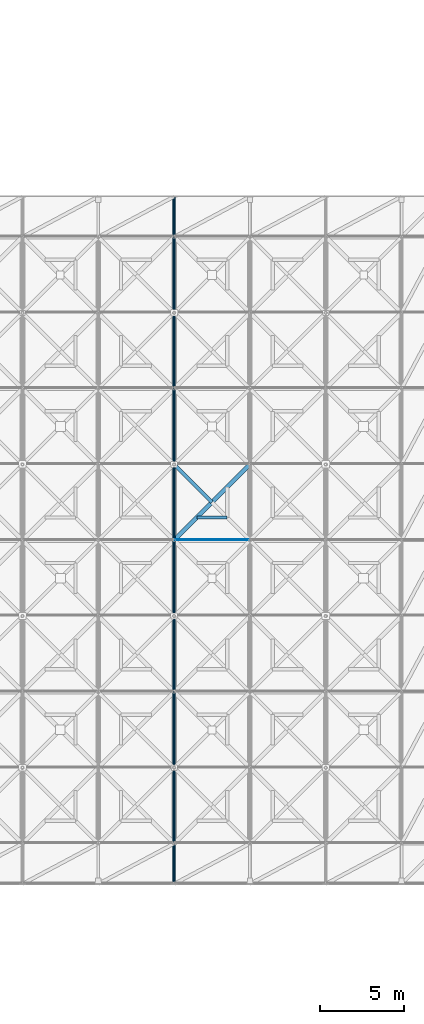
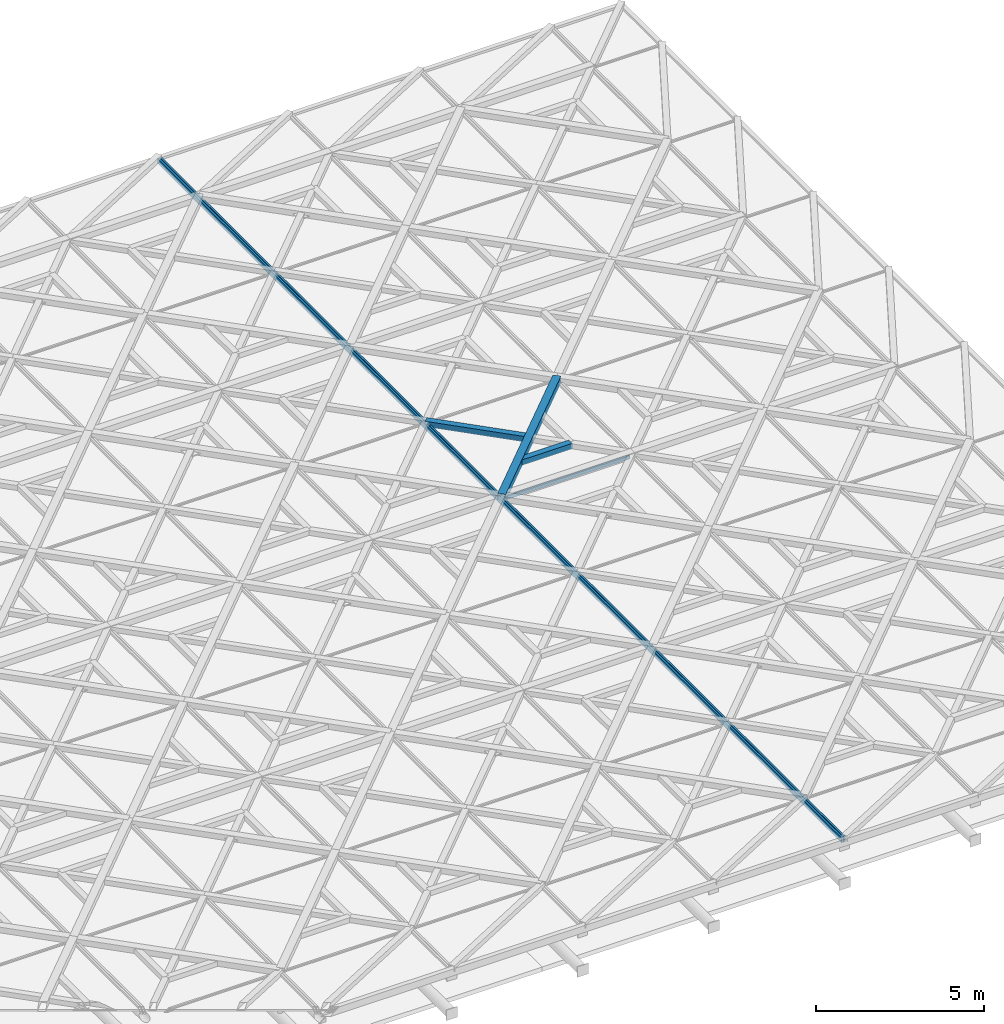
# One storey, part 41 of 80: 6 members, 2 elements without a shape of their own.
"""IFC4 building model written with IfcOpenShell, lengths in metres."""

from ifc_helpers import new_model, si_unit, direction, frame, origin, origin_2d, place, context, subcontext, project, spatial, rectangle, hollow_rectangle, extrude, material, material_profile, profile_set, type_object, element, aggregate, save


model = new_model("IFC4")

# Units and contexts
model_context = context("Model", 3, precision=1e-05, world=origin(), true_north=direction((0.0, 1.0)))
body_context = subcontext(model_context, "Body", "Model", "MODEL_VIEW")
ifc_project = project(units=[si_unit("LENGTHUNIT", "METRE"), si_unit("AREAUNIT", "SQUARE_METRE"), si_unit("VOLUMEUNIT", "CUBIC_METRE"), si_unit("PLANEANGLEUNIT", "RADIAN"), si_unit("MASSUNIT", "GRAM", prefix="KILO"), si_unit("THERMODYNAMICTEMPERATUREUNIT", "KELVIN"), si_unit("POWERUNIT", "WATT")], contexts=[model_context])

# Site, building, storey
site_placement = place(None, origin())
site = spatial("IfcSite", under=ifc_project, at=site_placement, CompositionType="ELEMENT")
building_placement = place(site_placement, origin())
building = spatial("IfcBuilding", under=site, at=building_placement, Name="Tallowbark Science Centre", CompositionType="ELEMENT")
storey_placement = place(building_placement, frame((0.0, 0.0, 25.949951171875)))
storey = spatial("IfcBuildingStorey", under=building, at=storey_placement, Name="ROOF", CompositionType="ELEMENT", Elevation=25.949951171875)

# Curtain wall, member
ifc_material_1 = material(Name="Blue-Tinted Laminated Low-E Skylight Glass", Category="glass")
curtain_wall_type = type_object("IfcCurtainWallType", Name="CW-SKY-ROOF", PredefinedType="NOTDEFINED", material=ifc_material_1)
curtain_wall_1_placement = place(storey_placement, origin())
curtain_wall_1 = element("IfcCurtainWall", 1, at=curtain_wall_1_placement, inside=storey, type_object=curtain_wall_type, Name="Exhibition Star-Screen Skylight Bay 8", PredefinedType="NOTDEFINED")
ifc_material_2 = material(Name="Anodised Architectural Aluminium Alloy 6063-T6", Category="aluminium")
ifc_material_profile_1 = material_profile(ifc_material_2, rectangle(XDim=0.06494140625, YDim=0.179931640625, at=origin_2d()), Name="ALU65x180")
ifc_profile_set_1 = profile_set([ifc_material_profile_1], Name="Anodised Architectural Aluminium Alloy 6063-T6")
member_type_1 = type_object("IfcMemberType", Name="CWM-SKY-MUL", PredefinedType="MULLION", material=ifc_profile_set_1)
member_1_placement = place(storey_placement, frame((89.9599609375, 2.14990234375, 0.35205078125), z_axis=(0.0, 1.0, 0.0), x_axis=(-1.0, 0.0, 0.0)))
member_1 = element("IfcMember", 2, at=member_1_placement, type_object=member_type_1, Name="Skylight Bay 8 Mullion E", PredefinedType="MULLION", context=body_context, shape_type="SweptSolid", body=[
    extrude(rectangle(XDim=0.06494140625, YDim=0.179931640625, at=origin_2d()), origin(), (0.0, 0.0, 1.0), 40.7001953125),
])
aggregate(curtain_wall_1, [member_1])

# Curtain wall, members
curtain_wall_2_placement = place(storey_placement, origin())
curtain_wall_2 = element("IfcCurtainWall", 3, at=curtain_wall_2_placement, inside=storey, type_object=curtain_wall_type, Name="Exhibition Star-Screen Skylight Bay 9", PredefinedType="NOTDEFINED")
member_2_placement = place(storey_placement, frame((90.0400390625, 2.14990234375, 0.35205078125), z_axis=(0.0, 1.0, 0.0), x_axis=(-1.0, 0.0, 0.0)))
member_2 = element("IfcMember", 4, at=member_2_placement, type_object=member_type_1, Name="Skylight Bay 9 Mullion W", PredefinedType="MULLION", context=body_context, shape_type="SweptSolid", body=[
    extrude(rectangle(XDim=0.06494140625, YDim=0.179931640625, at=origin_2d()), origin(), (0.0, 0.0, 1.0), 40.7001953125),
])
ifc_material_profile_2 = material_profile(ifc_material_2, rectangle(XDim=0.054931640625, YDim=0.1201171875, at=origin_2d()), Name="ALU55x120")
ifc_profile_set_2 = profile_set([ifc_material_profile_2], Name="Anodised Architectural Aluminium Alloy 6063-T6")
member_type_2 = type_object("IfcMemberType", Name="CWM-SKY-TRN", PredefinedType="USERDEFINED", material=ifc_profile_set_2)
member_3_placement = place(storey_placement, frame((90.080078125, 22.5400390625, 0.35205078125), z_axis=(1.0, 0.0, 0.0), x_axis=(0.0, 1.0, 0.0)))
member_3 = element("IfcMember", 5, at=member_3_placement, type_object=member_type_2, Name="Skylight Bay 9 Transom 6", ObjectType="TRANSOM", PredefinedType="USERDEFINED", context=body_context, shape_type="SweptSolid", body=[
    extrude(rectangle(XDim=0.054931640625, YDim=0.1201171875, at=origin_2d()), origin(), (0.0, 0.0, 1.0), 4.33984375),
])
aggregate(curtain_wall_2, [member_2, member_3])

# Members
ifc_material_3 = material(Name="White Architectural Painted Steel Grade C350L0 (350 MPa)", Category="steel")
ifc_material_profile_3 = material_profile(ifc_material_3, hollow_rectangle(XDim=0.25, YDim=0.25, WallThickness=0.009033203125, at=origin_2d()), Name="250x250x9.0SHS")
ifc_profile_set_3 = profile_set([ifc_material_profile_3], Name="White Architectural Painted Steel Grade C350L0 (350 MPa)")
member_type_3 = type_object("IfcMemberType", Name="SCR-CHD200", PredefinedType="CHORD", material=ifc_profile_set_3)
member_4_placement = place(storey_placement, frame((90.0, 22.5, 0.449951171875), z_axis=(0.707106781187, 0.707106781187, 0.0), x_axis=(-0.707106781187, 0.707106781187, 0.0)))
element("IfcMember", 6, at=member_4_placement, inside=storey, type_object=member_type_3, Name="Star Screen Octagram Diamond Chord TOP-68-1", PredefinedType="CHORD", context=body_context, shape_type="SweptSolid", body=[
    extrude(hollow_rectangle(XDim=0.25, YDim=0.25, WallThickness=0.009033203125, at=origin_2d()), origin(), (0.0, 0.0, 1.0), 6.364013671875),
])
ifc_material_profile_4 = material_profile(ifc_material_3, hollow_rectangle(XDim=0.199951171875, YDim=0.199951171875, WallThickness=0.009033203125, at=origin_2d()), Name="200x200x9.0SHS")
ifc_profile_set_4 = profile_set([ifc_material_profile_4], Name="White Architectural Painted Steel Grade C350L0 (350 MPa)")
member_type_4 = type_object("IfcMemberType", Name="SCR-STAR139", PredefinedType="BRACE", material=ifc_profile_set_4)
member_5_placement = place(storey_placement, frame((90.0, 27.0, 0.449951171875), z_axis=(0.707106781187, -0.707106781187, 0.0), x_axis=(0.707106781187, 0.707106781187, 0.0)))
element("IfcMember", 7, at=member_5_placement, inside=storey, type_object=member_type_4, Name="Star Screen Split X-Diagonal D2C TOP-68", PredefinedType="BRACE", context=body_context, shape_type="SweptSolid", body=[
    extrude(hollow_rectangle(XDim=0.199951171875, YDim=0.199951171875, WallThickness=0.009033203125, at=origin_2d()), origin(), (0.0, 0.0, 1.0), 3.181884765625),
])
ifc_material_profile_5 = material_profile(ifc_material_3, hollow_rectangle(XDim=0.199951171875, YDim=0.199951171875, WallThickness=0.009033203125, at=origin_2d()), Name="200x200x9.0SHS")
ifc_profile_set_5 = profile_set([ifc_material_profile_5], Name="White Architectural Painted Steel Grade C350L0 (350 MPa)")
member_type_5 = type_object("IfcMemberType", Name="SCR-SUB150", PredefinedType="BRACE", material=ifc_profile_set_5)
member_6_placement = place(storey_placement, frame((93.14990234375, 23.85009765625, 0.449951171875), z_axis=(-1.0, 0.0, 0.0), x_axis=(0.0, -1.0, 0.0)))
element("IfcMember", 8, at=member_6_placement, inside=storey, type_object=member_type_5, Name="Star Screen Octagram Point Ray TOP-68-3", PredefinedType="BRACE", context=body_context, shape_type="SweptSolid", body=[
    extrude(hollow_rectangle(XDim=0.199951171875, YDim=0.199951171875, WallThickness=0.009033203125, at=origin_2d()), origin(), (0.0, 0.0, 1.0), 1.7998046875),
])

save(model, "model.ifc")
